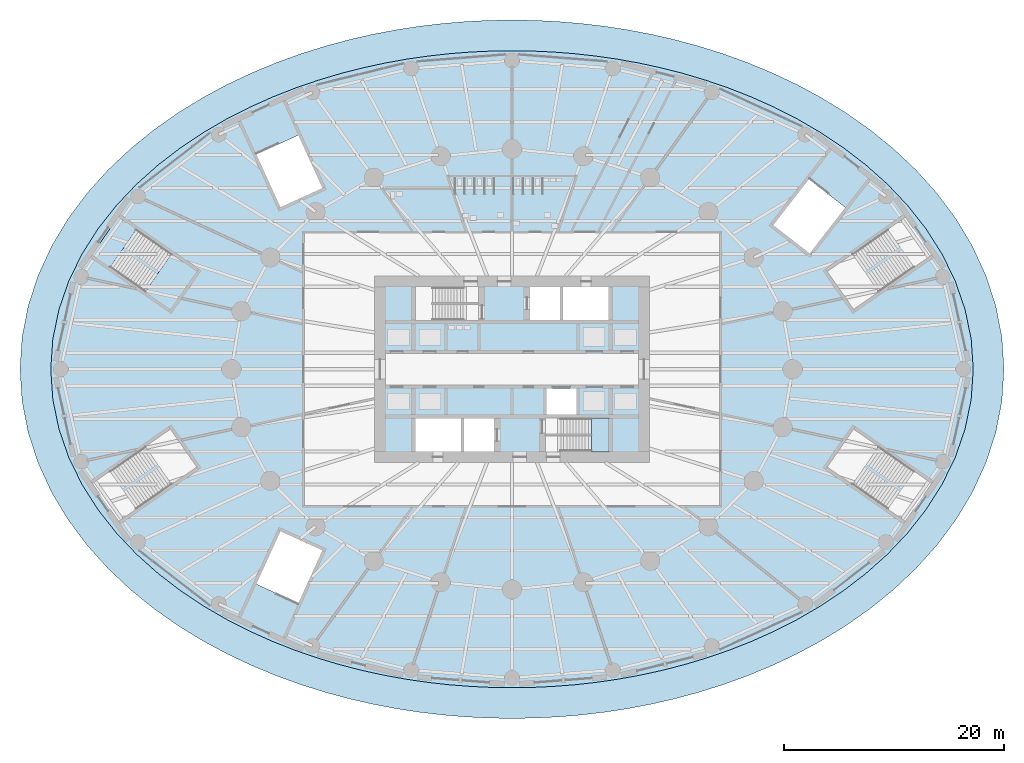
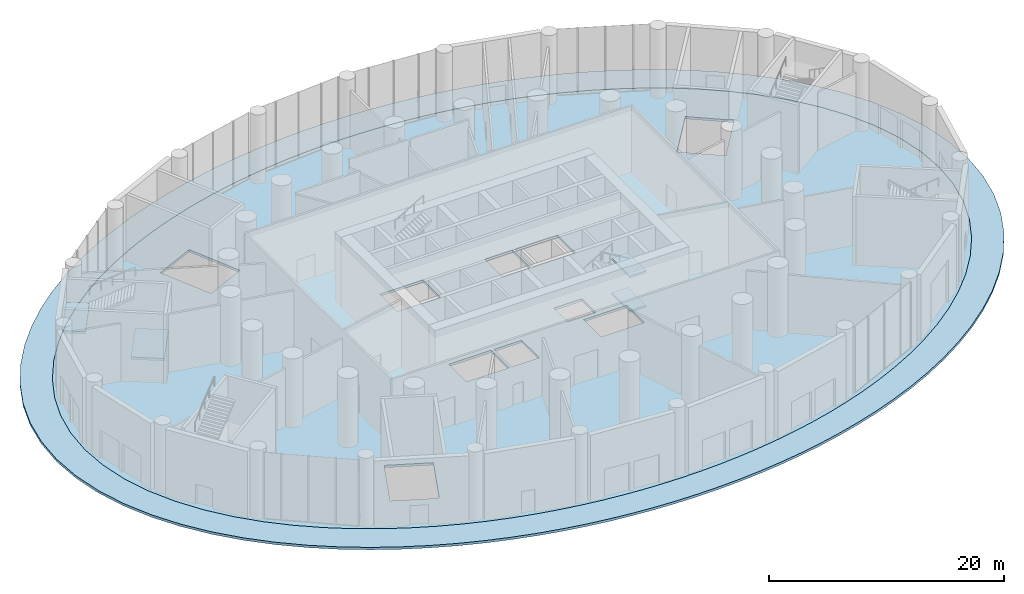
# One storey, part 12 of 22: 6 slabs, 2 elements without a shape of their own.
"""IFC4 building model written with IfcOpenShell, lengths in metres."""

from ifc_helpers import new_model, si_unit, direction, frame, origin, place, context, subcontext, project, spatial, polyline, outline, extrude, material, layer, layer_set, type_object, element, aggregate, save


model = new_model("IFC4")

# Units and contexts
model_context = context("Model", 3, precision=1e-05, world=origin(), true_north=direction((0.0, 1.0)))
body_context = subcontext(model_context, "Body", "Model", "MODEL_VIEW")
ifc_project = project(units=[si_unit("LENGTHUNIT", "METRE"), si_unit("AREAUNIT", "SQUARE_METRE"), si_unit("VOLUMEUNIT", "CUBIC_METRE"), si_unit("PLANEANGLEUNIT", "RADIAN"), si_unit("MASSUNIT", "GRAM", prefix="KILO")], contexts=[model_context])

# Site, building, storey
site_placement = place(None, origin())
site = spatial("IfcSite", under=ifc_project, at=site_placement, CompositionType="ELEMENT")
building_placement = place(site_placement, origin())
building = spatial("IfcBuilding", under=site, at=building_placement, Name="Hankou Lantern Tower", CompositionType="ELEMENT")
storey_placement = place(building_placement, origin())
storey = spatial("IfcBuildingStorey", under=building, at=storey_placement, Name="L00", CompositionType="ELEMENT", Elevation=0.0)

# Slabs
ifc_material_1 = material(Name="Concrete C40 with granite paving", Category="masonry")
ifc_layer_1 = layer(ifc_material_1, 0.25)
ifc_layer_set_1 = layer_set([ifc_layer_1], Name="Concrete C40 with granite paving")
slab_type_1 = type_object("IfcSlabType", Name="PV1 FORECOURT APRON 250", PredefinedType="FLOOR", material=ifc_layer_set_1)
slab_1_placement = place(storey_placement, frame((0.0, 0.0, -0.25)))
element("IfcSlab", 1, at=slab_1_placement, inside=storey, type_object=slab_type_1, Name="Forecourt apron", PredefinedType="FLOOR", context=body_context, shape_type="SweptSolid", body=[
    extrude(outline(polyline([(44.800048828125, 0.0), (44.610107421875, 2.923828125), (44.048828125, 5.799072265625), (43.13818359375, 8.580810546875), (41.9130859375, 11.230712890625), (40.416259765625, 13.719482421875), (38.693603515625, 16.02734375), (36.792236328125, 18.143798828125), (34.755126953125, 20.06591796875), (32.620849609375, 21.796630859375), (30.422119140625, 23.34375), (28.185302734375, 24.718017578125), (25.931396484375, 25.931396484375), (23.675537109375, 26.99658203125), (21.4287109375, 27.92626953125), (19.1982421875, 28.732177734375), (16.988525390625, 29.4248046875), (14.801513671875, 30.01416015625), (12.63720703125, 30.508544921875), (10.494384765625, 30.915283203125), (8.37060546875, 31.239990234375), (6.26318359375, 31.48779296875), (4.16845703125, 31.662109375), (2.08203125, 31.765625), (0.0, 31.800048828125), (-2.08203125, 31.765625), (-4.16845703125, 31.662109375), (-6.26318359375, 31.48779296875), (-8.37060546875, 31.239990234375), (-10.494384765625, 30.915283203125), (-12.63720703125, 30.508544921875), (-14.801513671875, 30.01416015625), (-16.988525390625, 29.4248046875), (-19.1982421875, 28.732177734375), (-21.4287109375, 27.92626953125), (-23.675537109375, 26.99658203125), (-25.931396484375, 25.931396484375), (-28.185302734375, 24.718017578125), (-30.422119140625, 23.34375), (-32.620849609375, 21.796630859375), (-34.755126953125, 20.06591796875), (-36.792236328125, 18.143798828125), (-38.693603515625, 16.02734375), (-40.416259765625, 13.719482421875), (-41.9130859375, 11.230712890625), (-43.13818359375, 8.580810546875), (-44.048828125, 5.799072265625), (-44.610107421875, 2.923828125), (-44.800048828125, 0.0), (-44.610107421875, -2.923828125), (-44.048828125, -5.799072265625), (-43.13818359375, -8.580810546875), (-41.9130859375, -11.230712890625), (-40.416259765625, -13.719482421875), (-38.693603515625, -16.02734375), (-36.792236328125, -18.143798828125), (-34.755126953125, -20.06591796875), (-32.620849609375, -21.796630859375), (-30.422119140625, -23.34375), (-28.185302734375, -24.718017578125), (-25.931396484375, -25.931396484375), (-23.675537109375, -26.99658203125), (-21.4287109375, -27.92626953125), (-19.1982421875, -28.732177734375), (-16.988525390625, -29.4248046875), (-14.801513671875, -30.01416015625), (-12.63720703125, -30.508544921875), (-10.494384765625, -30.915283203125), (-8.37060546875, -31.239990234375), (-6.26318359375, -31.48779296875), (-4.16845703125, -31.662109375), (-2.08203125, -31.765625), (0.0, -31.800048828125), (2.08203125, -31.765625), (4.16845703125, -31.662109375), (6.26318359375, -31.48779296875), (8.37060546875, -31.239990234375), (10.494384765625, -30.915283203125), (12.63720703125, -30.508544921875), (14.801513671875, -30.01416015625), (16.988525390625, -29.4248046875), (19.1982421875, -28.732177734375), (21.4287109375, -27.92626953125), (23.675537109375, -26.99658203125), (25.931396484375, -25.931396484375), (28.185302734375, -24.718017578125), (30.422119140625, -23.34375), (32.620849609375, -21.796630859375), (34.755126953125, -20.06591796875), (36.792236328125, -18.143798828125), (38.693603515625, -16.02734375), (40.416259765625, -13.719482421875), (41.9130859375, -11.230712890625), (43.13818359375, -8.580810546875), (44.048828125, -5.799072265625), (44.610107421875, -2.923828125), (44.800048828125, 0.0)]), holes=[polyline([(41.81201171875, -2.740478515625), (41.2568359375, -5.431640625), (40.358642578125, -8.02783203125), (39.155029296875, -10.491455078125), (37.69140625, -12.79443359375), (36.016357421875, -14.91845703125), (34.177978515625, -16.854736328125), (32.220458984375, -18.6025390625), (30.181884765625, -20.166748046875), (28.09375, -21.55712890625), (25.981689453125, -22.78515625), (23.864013671875, -23.864013671875), (21.7548828125, -24.806640625), (19.6630859375, -25.62548828125), (17.594970703125, -26.33251953125), (15.552978515625, -26.9384765625), (13.537841796875, -27.4521484375), (11.549072265625, -27.882080078125), (9.58447265625, -28.23486328125), (7.640869140625, -28.51611328125), (5.71484375, -28.730224609375), (3.80224609375, -28.880859375), (1.89892578125, -28.970458984375), (0.0, -29.0), (-1.89892578125, -28.970458984375), (-3.80224609375, -28.880859375), (-5.71484375, -28.730224609375), (-7.640869140625, -28.51611328125), (-9.58447265625, -28.23486328125), (-11.549072265625, -27.882080078125), (-13.537841796875, -27.4521484375), (-15.552978515625, -26.9384765625), (-17.594970703125, -26.33251953125), (-19.6630859375, -25.62548828125), (-21.7548828125, -24.806640625), (-23.864013671875, -23.864013671875), (-25.981689453125, -22.78515625), (-28.09375, -21.55712890625), (-30.181884765625, -20.166748046875), (-32.220458984375, -18.6025390625), (-34.177978515625, -16.854736328125), (-36.016357421875, -14.91845703125), (-37.69140625, -12.79443359375), (-39.155029296875, -10.491455078125), (-40.358642578125, -8.02783203125), (-41.2568359375, -5.431640625), (-41.81201171875, -2.740478515625), (-42.0, 0.0), (-41.81201171875, 2.740478515625), (-41.2568359375, 5.431640625), (-40.358642578125, 8.02783203125), (-39.155029296875, 10.491455078125), (-37.69140625, 12.79443359375), (-36.016357421875, 14.91845703125), (-34.177978515625, 16.854736328125), (-32.220458984375, 18.6025390625), (-30.181884765625, 20.166748046875), (-28.09375, 21.55712890625), (-25.981689453125, 22.78515625), (-23.864013671875, 23.864013671875), (-21.7548828125, 24.806640625), (-19.6630859375, 25.62548828125), (-17.594970703125, 26.33251953125), (-15.552978515625, 26.9384765625), (-13.537841796875, 27.4521484375), (-11.549072265625, 27.882080078125), (-9.58447265625, 28.23486328125), (-7.640869140625, 28.51611328125), (-5.71484375, 28.730224609375), (-3.80224609375, 28.880859375), (-1.89892578125, 28.970458984375), (0.0, 29.0), (1.89892578125, 28.970458984375), (3.80224609375, 28.880859375), (5.71484375, 28.730224609375), (7.640869140625, 28.51611328125), (9.58447265625, 28.23486328125), (11.549072265625, 27.882080078125), (13.537841796875, 27.4521484375), (15.552978515625, 26.9384765625), (17.594970703125, 26.33251953125), (19.6630859375, 25.62548828125), (21.7548828125, 24.806640625), (23.864013671875, 23.864013671875), (25.981689453125, 22.78515625), (28.09375, 21.55712890625), (30.181884765625, 20.166748046875), (32.220458984375, 18.6025390625), (34.177978515625, 16.854736328125), (36.016357421875, 14.91845703125), (37.69140625, 12.79443359375), (39.155029296875, 10.491455078125), (40.358642578125, 8.02783203125), (41.2568359375, 5.431640625), (41.81201171875, 2.740478515625), (42.0, 0.0), (41.81201171875, -2.740478515625)])]), origin(), (0.0, 0.0, 1.0), 0.25),
])
ifc_material_2 = material(Name="Concrete C50", Category="concrete")
ifc_layer_2 = layer(ifc_material_2, 0.25)
ifc_layer_set_2 = layer_set([ifc_layer_2], Name="Concrete C50")
slab_type_2 = type_object("IfcSlabType", Name="S2 HEAVY FLOOR SLAB 250", PredefinedType="FLOOR", material=ifc_layer_set_2)
slab_2_placement = place(storey_placement, frame((0.0, 0.0, -0.25)))
element("IfcSlab", 2, at=slab_2_placement, inside=storey, type_object=slab_type_2, Name="Floor slab L00", PredefinedType="FLOOR", context=body_context, shape_type="SweptSolid", body=[
    extrude(outline(polyline([(42.0, 0.0), (41.81201171875, 2.740478515625), (41.2568359375, 5.431640625), (40.358642578125, 8.02783203125), (39.155029296875, 10.491455078125), (37.69140625, 12.79443359375), (36.016357421875, 14.91845703125), (34.177978515625, 16.854736328125), (32.220458984375, 18.6025390625), (30.181884765625, 20.166748046875), (28.09375, 21.55712890625), (25.981689453125, 22.78515625), (23.864013671875, 23.864013671875), (21.7548828125, 24.806640625), (19.6630859375, 25.62548828125), (17.594970703125, 26.33251953125), (15.552978515625, 26.9384765625), (13.537841796875, 27.4521484375), (11.549072265625, 27.882080078125), (9.58447265625, 28.23486328125), (7.640869140625, 28.51611328125), (5.71484375, 28.730224609375), (3.80224609375, 28.880859375), (1.89892578125, 28.970458984375), (0.0, 29.0), (-1.89892578125, 28.970458984375), (-3.80224609375, 28.880859375), (-5.71484375, 28.730224609375), (-7.640869140625, 28.51611328125), (-9.58447265625, 28.23486328125), (-11.549072265625, 27.882080078125), (-13.537841796875, 27.4521484375), (-15.552978515625, 26.9384765625), (-17.594970703125, 26.33251953125), (-19.6630859375, 25.62548828125), (-21.7548828125, 24.806640625), (-23.864013671875, 23.864013671875), (-25.981689453125, 22.78515625), (-28.09375, 21.55712890625), (-30.181884765625, 20.166748046875), (-32.220458984375, 18.6025390625), (-34.177978515625, 16.854736328125), (-36.016357421875, 14.91845703125), (-37.69140625, 12.79443359375), (-39.155029296875, 10.491455078125), (-40.358642578125, 8.02783203125), (-41.2568359375, 5.431640625), (-41.81201171875, 2.740478515625), (-42.0, 0.0), (-41.81201171875, -2.740478515625), (-41.2568359375, -5.431640625), (-40.358642578125, -8.02783203125), (-39.155029296875, -10.491455078125), (-37.69140625, -12.79443359375), (-36.016357421875, -14.91845703125), (-34.177978515625, -16.854736328125), (-32.220458984375, -18.6025390625), (-30.181884765625, -20.166748046875), (-28.09375, -21.55712890625), (-25.981689453125, -22.78515625), (-23.864013671875, -23.864013671875), (-21.7548828125, -24.806640625), (-19.6630859375, -25.62548828125), (-17.594970703125, -26.33251953125), (-15.552978515625, -26.9384765625), (-13.537841796875, -27.4521484375), (-11.549072265625, -27.882080078125), (-9.58447265625, -28.23486328125), (-7.640869140625, -28.51611328125), (-5.71484375, -28.730224609375), (-3.80224609375, -28.880859375), (-1.89892578125, -28.970458984375), (0.0, -29.0), (1.89892578125, -28.970458984375), (3.80224609375, -28.880859375), (5.71484375, -28.730224609375), (7.640869140625, -28.51611328125), (9.58447265625, -28.23486328125), (11.549072265625, -27.882080078125), (13.537841796875, -27.4521484375), (15.552978515625, -26.9384765625), (17.594970703125, -26.33251953125), (19.6630859375, -25.62548828125), (21.7548828125, -24.806640625), (23.864013671875, -23.864013671875), (25.981689453125, -22.78515625), (28.09375, -21.55712890625), (30.181884765625, -20.166748046875), (32.220458984375, -18.6025390625), (34.177978515625, -16.854736328125), (36.016357421875, -14.91845703125), (37.69140625, -12.79443359375), (39.155029296875, -10.491455078125), (40.358642578125, -8.02783203125), (41.2568359375, -5.431640625), (41.81201171875, -2.740478515625), (42.0, 0.0)]), holes=[polyline([(3.125, -1.75), (5.875, -1.75), (5.875, -4.10009765625), (3.125, -4.10009765625), (3.125, -1.75)]), polyline([(1.64990234375, 7.5), (4.375, 7.5), (4.375, 4.5), (1.64990234375, 4.5), (1.64990234375, 7.5)]), polyline([(-4.375, -4.5), (-1.64990234375, -4.5), (-1.64990234375, -7.5), (-4.375, -7.5), (-4.375, -4.5)]), polyline([(-8.699951171875, 7.449951171875), (-4.449951171875, 7.449951171875), (-4.449951171875, 4.5), (-8.699951171875, 4.5), (-8.699951171875, 7.449951171875)]), polyline([(4.449951171875, -4.5), (8.699951171875, -4.5), (8.699951171875, -7.449951171875), (4.449951171875, -7.449951171875), (4.449951171875, -4.5)]), polyline([(4.625, 7.5), (8.800048828125, 7.5), (8.800048828125, 4.5), (4.625, 4.5), (4.625, 7.5)]), polyline([(-8.800048828125, -4.5), (-4.625, -4.5), (-4.625, -7.5), (-8.800048828125, -7.5), (-8.800048828125, -4.5)]), polyline([(27.108642578125, 10.547607421875), (23.7900390625, 13.121826171875), (27.032470703125, 17.301513671875), (30.35107421875, 14.727294921875), (27.108642578125, 10.547607421875)]), polyline([(-17.261962890625, 16.497314453125), (-21.08251953125, 14.7529296875), (-23.27978515625, 19.56494140625), (-19.459228515625, 21.309326171875), (-17.261962890625, 16.497314453125)]), polyline([(-21.08251953125, -14.7529296875), (-17.261962890625, -16.497314453125), (-19.459228515625, -21.309326171875), (-23.27978515625, -19.56494140625), (-21.08251953125, -14.7529296875)])]), origin(), (0.0, 0.0, 1.0), 0.25),
])

# Stair, slabs
ifc_material_3 = material(Name="Concrete C40", Category="concrete")
stair_type_1 = type_object("IfcStairType", Name="ST72 CORE STAIR 7200 RISE", PredefinedType="HALF_TURN_STAIR", material=ifc_material_3)
stair_1_placement = place(storey_placement, origin())
stair_1 = element("IfcStair", 3, at=stair_1_placement, inside=storey, type_object=stair_type_1, Name="Stair STB L00", PredefinedType="HALF_TURN_STAIR")
ifc_material_4 = material(Name="Concrete C40", Category="concrete")
ifc_layer_3 = layer(ifc_material_4, 0.199951171875)
ifc_layer_set_3 = layer_set([ifc_layer_3], Name="Concrete C40")
slab_type_3 = type_object("IfcSlabType", Name="SL1 STAIR LANDING 200", PredefinedType="LANDING", material=ifc_layer_set_3)
slab_3_placement = place(storey_placement, frame((0.0, 0.0, 1.60009765625)))
slab_3 = element("IfcSlab", 4, at=slab_3_placement, type_object=slab_type_3, Name="STB landing 1", PredefinedType="LANDING", context=body_context, shape_type="SweptSolid", body=[
    extrude(outline(polyline([(8.85009765625, -4.449951171875), (7.22998046875, -4.449951171875), (7.22998046875, -7.550048828125), (8.85009765625, -7.550048828125), (8.85009765625, -4.449951171875)])), origin(), (0.0, 0.0, 1.0), 0.199951171875),
])
slab_4_placement = place(storey_placement, frame((0.0, 0.0, 5.199951171875)))
slab_4 = element("IfcSlab", 5, at=slab_4_placement, type_object=slab_type_3, Name="STB landing 3", PredefinedType="LANDING", context=body_context, shape_type="SweptSolid", body=[
    extrude(outline(polyline([(8.85009765625, -4.449951171875), (7.22998046875, -4.449951171875), (7.22998046875, -7.550048828125), (8.85009765625, -7.550048828125), (8.85009765625, -4.449951171875)])), origin(), (0.0, 0.0, 1.0), 0.199951171875),
])
aggregate(stair_1, [slab_3, slab_4])

ifc_material_5 = material(Name="Concrete C40", Category="concrete")
stair_type_2 = type_object("IfcStairType", Name="PS72 PODIUM STAIR 7200 RISE", PredefinedType="HALF_TURN_STAIR", material=ifc_material_5)
stair_2_placement = place(storey_placement, origin())
stair_2 = element("IfcStair", 6, at=stair_2_placement, inside=storey, type_object=stair_type_2, Name="Stair P2 L00", PredefinedType="HALF_TURN_STAIR")
ifc_material_6 = material(Name="Concrete C40", Category="concrete")
ifc_layer_4 = layer(ifc_material_6, 0.25)
ifc_layer_set_4 = layer_set([ifc_layer_4], Name="Concrete C40")
slab_type_4 = type_object("IfcSlabType", Name="SL2 PODIUM STAIR LANDING 250", PredefinedType="LANDING", material=ifc_layer_set_4)
slab_5_placement = place(storey_placement, frame((0.0, 0.0, 2.14990234375)))
slab_5 = element("IfcSlab", 7, at=slab_5_placement, type_object=slab_type_4, Name="P2 landing 1", PredefinedType="LANDING", context=body_context, shape_type="SweptSolid", body=[
    extrude(outline(polyline([(-30.984130859375, 10.54541015625), (-33.439697265625, 7.015380859375), (-31.091796875, 5.382080078125), (-28.636474609375, 8.912109375), (-30.984130859375, 10.54541015625)])), origin(), (0.0, 0.0, 1.0), 0.25),
])
slab_6_placement = place(storey_placement, frame((0.0, 0.0, 4.550048828125)))
slab_6 = element("IfcSlab", 8, at=slab_6_placement, type_object=slab_type_4, Name="P2 landing 2", PredefinedType="LANDING", context=body_context, shape_type="SweptSolid", body=[
    extrude(outline(polyline([(-35.82763671875, 13.91455078125), (-38.283203125, 10.384521484375), (-36.624755859375, 9.23095703125), (-34.16943359375, 12.760986328125), (-35.82763671875, 13.91455078125)])), origin(), (0.0, 0.0, 1.0), 0.25),
])
aggregate(stair_2, [slab_5, slab_6])

save(model, "model.ifc")
